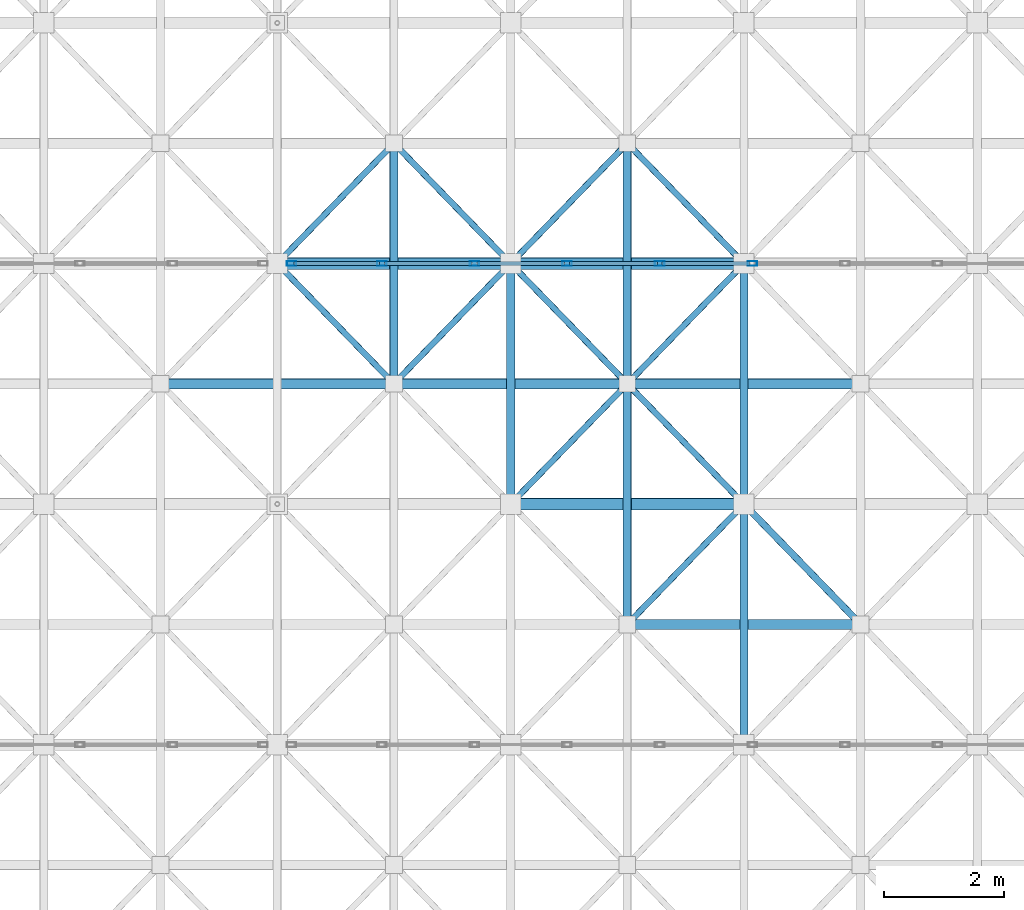
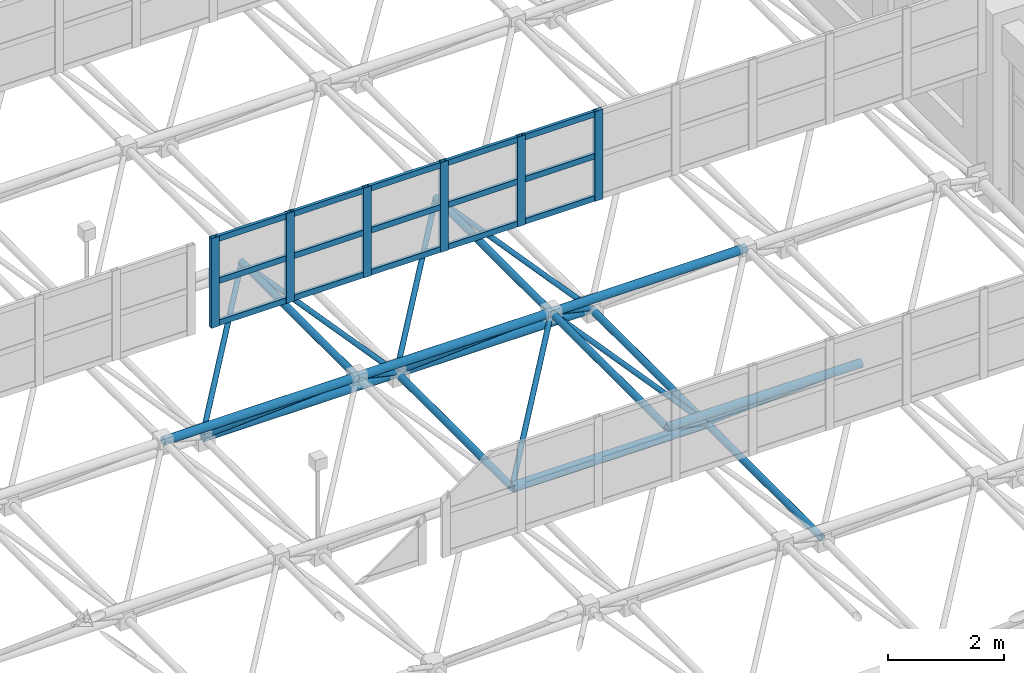
# One storey, part 87 of 195: 46 members, 1 element without a shape of its own.
"""IFC4 building model written with IfcOpenShell, lengths in metres."""

import ifcopenshell
import ifcopenshell.guid

model = None  # the IFC model being written
_history = None  # IfcOwnerHistory: only IFC2X3 demands one
_inside = {}  # id of a spatial element -> (the spatial element, [elements in it])
_under = {}  # id of a project, library or spatial element -> (it, [spatial elements below it])
_declared = {}  # id of a project -> (the project, [libraries it declares])
_typed = {}  # id of a type object -> (the type object, [elements of that type])
_made_of = {}  # id of a material, layer set ... -> (it, [elements and type objects made of it])


def new_model(schema):
    """Start an empty IFC model of exactly this schema.

    Asked for "IFC4X3", IfcOpenShell would pick the latest addendum, in which some entities
    have other attributes; the version numbers below select the first issue.
    IFC2X3 requires an IfcOwnerHistory on every rooted entity: one is made here for all.
    """
    global model, _history
    if schema == "IFC4X3":
        model = ifcopenshell.file(schema_version=(4, 3, 0, 0))
    else:
        model = ifcopenshell.file(schema=schema)
    _inside.clear()
    _under.clear()
    _declared.clear()
    _typed.clear()
    _made_of.clear()
    _history = None
    if model.schema == "IFC2X3":
        org = make("IfcOrganization", Name="unknown")
        user = make(
            "IfcPersonAndOrganization",
            ThePerson=make("IfcPerson", FamilyName="unknown"),
            TheOrganization=org,
        )
        app = make(
            "IfcApplication",
            ApplicationDeveloper=org,
            Version="unknown",
            ApplicationFullName="unknown",
            ApplicationIdentifier="unknown",
        )
        _history = make(
            "IfcOwnerHistory",
            OwningUser=user,
            OwningApplication=app,
            ChangeAction="ADDED",
            CreationDate=0,
        )
    return model


def make(cls, **values):
    """One entity of the class cls with the attributes given. An attribute that is None is left unset."""
    return model.create_entity(
        cls, **{name: value for name, value in values.items() if value is not None}
    )


def rooted(cls, **values):
    """An entity with a GlobalId (a new one), such as an element, a storey or a relation."""
    return make(cls, GlobalId=ifcopenshell.guid.new(), OwnerHistory=_history, **values)


def si_unit(unit_type, name, prefix=None):
    """IfcSIUnit, for example si_unit("LENGTHUNIT", "METRE", prefix="MILLI")."""
    return make("IfcSIUnit", UnitType=unit_type, Prefix=prefix, Name=name)


def assignment(units):
    """IfcUnitAssignment: the units of a project."""
    return None if units is None else make("IfcUnitAssignment", Units=units)


def point(xyz):
    """IfcCartesianPoint."""
    return None if xyz is None else make("IfcCartesianPoint", Coordinates=xyz)


def direction(xyz):
    """IfcDirection."""
    return None if xyz is None else make("IfcDirection", DirectionRatios=xyz)


def frame(location, z_axis=None, x_axis=None):
    """IfcAxis2Placement3D, a coordinate frame: its origin and axes. An axis left out is left unset."""
    return make(
        "IfcAxis2Placement3D",
        Location=point(location),
        Axis=direction(z_axis),
        RefDirection=direction(x_axis),
    )


def frame_2d(location, x_axis=None):
    """IfcAxis2Placement2D, a coordinate frame in the plane: its origin and x axis."""
    return make(
        "IfcAxis2Placement2D", Location=point(location), RefDirection=direction(x_axis)
    )


def origin():
    """The frame at (0, 0, 0) with its axes left unset."""
    return frame((0.0, 0.0, 0.0))


def origin_2d():
    """The frame at (0, 0) in the plane with its x axis left unset."""
    return frame_2d((0.0, 0.0))


def place(relative_to, where):
    """IfcLocalPlacement: puts the frame where relative to a parent placement (None: the world)."""
    return make(
        "IfcLocalPlacement", PlacementRelTo=relative_to, RelativePlacement=where
    )


def context(
    kind, dimensions, precision=None, world=None, true_north=None, identifier=None
):
    """IfcGeometricRepresentationContext, for example the 3D "Model" context."""
    return make(
        "IfcGeometricRepresentationContext",
        ContextIdentifier=identifier,
        ContextType=kind,
        CoordinateSpaceDimension=dimensions,
        Precision=precision,
        WorldCoordinateSystem=world,
        TrueNorth=true_north,
    )


def subcontext(parent, identifier, kind, view, scale=None):
    """IfcGeometricRepresentationSubContext, for example "Body" below "Model"."""
    return make(
        "IfcGeometricRepresentationSubContext",
        ContextIdentifier=identifier,
        ContextType=kind,
        ParentContext=parent,
        TargetScale=scale,
        TargetView=view,
    )


def project(units=None, contexts=None):
    """IfcProject with its units and contexts."""
    return rooted(
        "IfcProject",
        Name="project",
        RepresentationContexts=contexts,
        UnitsInContext=assignment(units),
    )


def spatial(cls, under=None, at=None, **own):
    """A site, building, storey or space (cls), placed at a placement, below another one or the project."""
    s = rooted(cls, ObjectPlacement=at, **own)
    if under is not None:
        _under.setdefault(under.id(), (under, []))[1].append(s)
    return s


def profile(cls, at=None, kind="AREA", **sizes):
    """A parametric profile (cls). Its sizes go by their IFC names, for example OverallWidth=200.0."""
    return make(cls, ProfileType=kind, Position=at, **sizes)


def hollow_rectangle(**sizes):
    """IfcRectangleHollowProfileDef."""
    return profile("IfcRectangleHollowProfileDef", **sizes)


def hollow_circle(**sizes):
    """IfcCircleHollowProfileDef."""
    return profile("IfcCircleHollowProfileDef", **sizes)


def extrude(swept, where, along, depth):
    """IfcExtrudedAreaSolid: the profile swept, set in the frame where, extruded along a direction by depth."""
    return make(
        "IfcExtrudedAreaSolid",
        SweptArea=swept,
        Position=where,
        ExtrudedDirection=direction(along),
        Depth=depth,
    )


def shape(context_of_items, identifier, shape_type, items):
    """IfcShapeRepresentation: the items that make up one representation, for example the "Body"."""
    return make(
        "IfcShapeRepresentation",
        ContextOfItems=context_of_items,
        RepresentationIdentifier=identifier,
        RepresentationType=shape_type,
        Items=items,
    )


def material(Name=None, Category=None):
    """IfcMaterial."""
    return make("IfcMaterial", Name=Name, Category=Category)


def material_profile(
    of_material, cross_section, Name=None, Category=None, Priority=None
):
    """IfcMaterialProfile: a cross section and its material."""
    return make(
        "IfcMaterialProfile",
        Name=Name,
        Material=of_material,
        Profile=cross_section,
        Priority=Priority,
        Category=Category,
    )


def profile_set(profiles, Name=None, composite=None):
    """IfcMaterialProfileSet."""
    return make(
        "IfcMaterialProfileSet",
        Name=Name,
        MaterialProfiles=profiles,
        CompositeProfile=composite,
    )


def made_of(thing, what):
    """Note that an element or type object is made of a material, layer set ...; save() writes the relation."""
    if what is not None:
        _made_of.setdefault(what.id(), (what, []))[1].append(thing)
    return thing


def type_object(cls, material=None, **own):
    """A type object (cls), such as IfcWallType, which elements share."""
    return made_of(rooted(cls, **own), material)


def element(
    cls,
    number,
    at=None,
    inside=None,
    cuts=None,
    type_object=None,
    material=None,
    context=None,
    identifier="Body",
    shape_type=None,
    held_by="IfcProductDefinitionShape",
    body=None,
    shapes=None,
    **own,
):
    """One element of the class cls, such as IfcWall. Its Tag is "e" and its number.

    at: its placement. inside: the storey or other place that contains it. cuts: it is an
    opening in that element (IfcRelVoidsElement). A single representation is given by context,
    identifier, shape_type and body (its items); several are given by shapes. held_by: the class
    of the entity that holds the representations. save() writes the other relations.
    """
    e = rooted(cls, Tag="e%d" % number, ObjectPlacement=at, **own)
    if body is not None:
        shapes = [shape(context, identifier, shape_type, body)]
    if shapes is not None:
        e.Representation = make(held_by, Representations=shapes)
    if inside is not None:
        _inside.setdefault(inside.id(), (inside, []))[1].append(e)
    if cuts is not None:
        rooted(
            "IfcRelVoidsElement", RelatingBuildingElement=cuts, RelatedOpeningElement=e
        )
    if type_object is not None:
        _typed.setdefault(type_object.id(), (type_object, []))[1].append(e)
    return made_of(e, material)


def aggregate(whole, parts):
    """IfcRelAggregates: a whole, such as a stair, and the parts it consists of."""
    return rooted("IfcRelAggregates", RelatingObject=whole, RelatedObjects=parts)


def save(model, path):
    """Write the relations noted so far, then the file.

    IfcRelAggregates (storeys below a building ...), IfcRelContainedInSpatialStructure (elements
    in a storey), IfcRelDefinesByType, IfcRelAssociatesMaterial and IfcRelDeclares: one each for
    every whole, place, type object, material and project.
    """
    for whole, parts in _under.values():
        aggregate(whole, parts)
    for where, things in _inside.values():
        rooted(
            "IfcRelContainedInSpatialStructure",
            RelatedElements=things,
            RelatingStructure=where,
        )
    for kind, things in _typed.values():
        rooted("IfcRelDefinesByType", RelatedObjects=things, RelatingType=kind)
    for what, things in _made_of.values():
        rooted("IfcRelAssociatesMaterial", RelatedObjects=things, RelatingMaterial=what)
    for by, libraries in _declared.values():
        rooted("IfcRelDeclares", RelatingContext=by, RelatedDefinitions=libraries)
    model.write(path)


model = new_model("IFC4")

# Units and contexts
model_context = context("Model", 3, precision=1e-05, world=origin(), true_north=direction((0.0, 1.0)))
body_context = subcontext(model_context, "Body", "Model", "MODEL_VIEW")
ifc_project = project(units=[si_unit("LENGTHUNIT", "METRE"), si_unit("AREAUNIT", "SQUARE_METRE"), si_unit("VOLUMEUNIT", "CUBIC_METRE"), si_unit("PLANEANGLEUNIT", "RADIAN"), si_unit("MASSUNIT", "GRAM", prefix="KILO")], contexts=[model_context])

# Site, building, storey
site_placement = place(None, origin())
site = spatial("IfcSite", under=ifc_project, at=site_placement, CompositionType="ELEMENT")
building_placement = place(site_placement, origin())
building = spatial("IfcBuilding", under=site, at=building_placement, Name="Kharva Crest Polytechnic", CompositionType="ELEMENT")
storey_placement = place(building_placement, frame((0.0, 0.0, 9.0)))
storey = spatial("IfcBuildingStorey", under=building, at=storey_placement, Name="L02", CompositionType="ELEMENT", Elevation=9.0)

# Curtain wall, members
ifc_material_1 = material(Name="Tempered insulated glass", Category="glass")
curtain_wall_type = type_object("IfcCurtainWallType", Name="CW-SYS-NORTHLIGHT", PredefinedType="USERDEFINED", material=ifc_material_1)
curtain_wall_placement = place(storey_placement, origin())
curtain_wall = element("IfcCurtainWall", 1, at=curtain_wall_placement, inside=storey, type_object=curtain_wall_type, Name="L02 Glazed Curtain Wall CW-196", ObjectType="CURTAIN WALL", PredefinedType="USERDEFINED")
ifc_material_2 = material(Name="Steel S355", Category="steel")
ifc_material_profile_1 = material_profile(ifc_material_2, hollow_rectangle(XDim=0.080078125, YDim=0.159912109375, WallThickness=0.0048828125, at=origin_2d()), Name="RHS 160X80X5.0")
ifc_profile_set_1 = profile_set([ifc_material_profile_1], Name="Steel S355")
member_type_1 = type_object("IfcMemberType", Name="CWM-RHS160X80", PredefinedType="MULLION", material=ifc_profile_set_1)
member_1_placement = place(storey_placement, frame((16.239990234375, 70.800048828125, 2.85009765625), z_axis=(0.0, 0.0, 1.0), x_axis=(0.0, 1.0, 0.0)))
member_1 = element("IfcMember", 2, at=member_1_placement, type_object=member_type_1, Name="CW-196 mullion 1", PredefinedType="MULLION", context=body_context, shape_type="SweptSolid", body=[
    extrude(hollow_rectangle(XDim=0.080078125, YDim=0.159912109375, WallThickness=0.0048828125, at=origin_2d()), origin(), (0.0, 0.0, 1.0), 1.89990234375),
])
member_2_placement = place(storey_placement, frame((17.739990234375, 70.800048828125, 2.85009765625), z_axis=(0.0, 0.0, 1.0), x_axis=(0.0, 1.0, 0.0)))
member_2 = element("IfcMember", 3, at=member_2_placement, type_object=member_type_1, Name="CW-196 mullion 2", PredefinedType="MULLION", context=body_context, shape_type="SweptSolid", body=[
    extrude(hollow_rectangle(XDim=0.080078125, YDim=0.159912109375, WallThickness=0.0048828125, at=origin_2d()), origin(), (0.0, 0.0, 1.0), 1.89990234375),
])
member_3_placement = place(storey_placement, frame((19.280029296875, 70.800048828125, 2.85009765625), z_axis=(0.0, 0.0, 1.0), x_axis=(0.0, 1.0, 0.0)))
member_3 = element("IfcMember", 4, at=member_3_placement, type_object=member_type_1, Name="CW-196 mullion 3", PredefinedType="MULLION", context=body_context, shape_type="SweptSolid", body=[
    extrude(hollow_rectangle(XDim=0.080078125, YDim=0.159912109375, WallThickness=0.0048828125, at=origin_2d()), origin(), (0.0, 0.0, 1.0), 1.89990234375),
])
member_4_placement = place(storey_placement, frame((20.820068359375, 70.800048828125, 2.85009765625), z_axis=(0.0, 0.0, 1.0), x_axis=(0.0, 1.0, 0.0)))
member_4 = element("IfcMember", 5, at=member_4_placement, type_object=member_type_1, Name="CW-196 mullion 4", PredefinedType="MULLION", context=body_context, shape_type="SweptSolid", body=[
    extrude(hollow_rectangle(XDim=0.080078125, YDim=0.159912109375, WallThickness=0.0048828125, at=origin_2d()), origin(), (0.0, 0.0, 1.0), 1.89990234375),
])
member_5_placement = place(storey_placement, frame((22.360107421875, 70.800048828125, 2.85009765625), z_axis=(0.0, 0.0, 1.0), x_axis=(0.0, 1.0, 0.0)))
member_5 = element("IfcMember", 6, at=member_5_placement, type_object=member_type_1, Name="CW-196 mullion 5", PredefinedType="MULLION", context=body_context, shape_type="SweptSolid", body=[
    extrude(hollow_rectangle(XDim=0.080078125, YDim=0.159912109375, WallThickness=0.0048828125, at=origin_2d()), origin(), (0.0, 0.0, 1.0), 1.89990234375),
])
member_6_placement = place(storey_placement, frame((23.89990234375, 70.800048828125, 2.85009765625), z_axis=(0.0, 0.0, 1.0), x_axis=(0.0, 1.0, 0.0)))
member_6 = element("IfcMember", 7, at=member_6_placement, type_object=member_type_1, Name="CW-196 mullion 6", PredefinedType="MULLION", context=body_context, shape_type="SweptSolid", body=[
    extrude(hollow_rectangle(XDim=0.080078125, YDim=0.159912109375, WallThickness=0.0048828125, at=origin_2d()), origin(), (0.0, 0.0, 1.0), 1.89990234375),
])
ifc_material_profile_2 = material_profile(ifc_material_2, hollow_rectangle(XDim=0.06005859375, YDim=0.1201171875, WallThickness=0.00390625, at=origin_2d()), Name="RHS 120X60X4.0")
ifc_profile_set_2 = profile_set([ifc_material_profile_2], Name="Steel S355")
member_type_2 = type_object("IfcMemberType", Name="CWT-RHS120X60", PredefinedType="USERDEFINED", material=ifc_profile_set_2)
member_7_placement = place(storey_placement, frame((16.280029296875, 70.800048828125, 2.909912109375), z_axis=(1.0, 0.0, 0.0), x_axis=(0.0, 1.0, 0.0)))
member_7 = element("IfcMember", 8, at=member_7_placement, type_object=member_type_2, Name="CW-196 transom 1.1", ObjectType="TRANSOM", PredefinedType="USERDEFINED", context=body_context, shape_type="SweptSolid", body=[
    extrude(hollow_rectangle(XDim=0.06005859375, YDim=0.1201171875, WallThickness=0.00390625, at=origin_2d()), origin(), (0.0, 0.0, 1.0), 1.419921875),
])
member_8_placement = place(storey_placement, frame((16.280029296875, 70.800048828125, 3.800048828125), z_axis=(1.0, 0.0, 0.0), x_axis=(0.0, 1.0, 0.0)))
member_8 = element("IfcMember", 9, at=member_8_placement, type_object=member_type_2, Name="CW-196 transom 1.2", ObjectType="TRANSOM", PredefinedType="USERDEFINED", context=body_context, shape_type="SweptSolid", body=[
    extrude(hollow_rectangle(XDim=0.06005859375, YDim=0.1201171875, WallThickness=0.00390625, at=origin_2d()), origin(), (0.0, 0.0, 1.0), 1.419921875),
])
member_9_placement = place(storey_placement, frame((16.280029296875, 70.800048828125, 4.68994140625), z_axis=(1.0, 0.0, 0.0), x_axis=(0.0, 1.0, 0.0)))
member_9 = element("IfcMember", 10, at=member_9_placement, type_object=member_type_2, Name="CW-196 transom 1.3", ObjectType="TRANSOM", PredefinedType="USERDEFINED", context=body_context, shape_type="SweptSolid", body=[
    extrude(hollow_rectangle(XDim=0.06005859375, YDim=0.1201171875, WallThickness=0.00390625, at=origin_2d()), origin(), (0.0, 0.0, 1.0), 1.419921875),
])
member_10_placement = place(storey_placement, frame((17.780029296875, 70.800048828125, 2.909912109375), z_axis=(1.0, 0.0, 0.0), x_axis=(0.0, 1.0, 0.0)))
member_10 = element("IfcMember", 11, at=member_10_placement, type_object=member_type_2, Name="CW-196 transom 2.1", ObjectType="TRANSOM", PredefinedType="USERDEFINED", context=body_context, shape_type="SweptSolid", body=[
    extrude(hollow_rectangle(XDim=0.06005859375, YDim=0.1201171875, WallThickness=0.00390625, at=origin_2d()), origin(), (0.0, 0.0, 1.0), 1.4599609375),
])
member_11_placement = place(storey_placement, frame((17.780029296875, 70.800048828125, 3.800048828125), z_axis=(1.0, 0.0, 0.0), x_axis=(0.0, 1.0, 0.0)))
member_11 = element("IfcMember", 12, at=member_11_placement, type_object=member_type_2, Name="CW-196 transom 2.2", ObjectType="TRANSOM", PredefinedType="USERDEFINED", context=body_context, shape_type="SweptSolid", body=[
    extrude(hollow_rectangle(XDim=0.06005859375, YDim=0.1201171875, WallThickness=0.00390625, at=origin_2d()), origin(), (0.0, 0.0, 1.0), 1.4599609375),
])
member_12_placement = place(storey_placement, frame((17.780029296875, 70.800048828125, 4.68994140625), z_axis=(1.0, 0.0, 0.0), x_axis=(0.0, 1.0, 0.0)))
member_12 = element("IfcMember", 13, at=member_12_placement, type_object=member_type_2, Name="CW-196 transom 2.3", ObjectType="TRANSOM", PredefinedType="USERDEFINED", context=body_context, shape_type="SweptSolid", body=[
    extrude(hollow_rectangle(XDim=0.06005859375, YDim=0.1201171875, WallThickness=0.00390625, at=origin_2d()), origin(), (0.0, 0.0, 1.0), 1.4599609375),
])
member_13_placement = place(storey_placement, frame((19.320068359375, 70.800048828125, 2.909912109375), z_axis=(1.0, 0.0, 0.0), x_axis=(0.0, 1.0, 0.0)))
member_13 = element("IfcMember", 14, at=member_13_placement, type_object=member_type_2, Name="CW-196 transom 3.1", ObjectType="TRANSOM", PredefinedType="USERDEFINED", context=body_context, shape_type="SweptSolid", body=[
    extrude(hollow_rectangle(XDim=0.06005859375, YDim=0.1201171875, WallThickness=0.00390625, at=origin_2d()), origin(), (0.0, 0.0, 1.0), 1.4599609375),
])
member_14_placement = place(storey_placement, frame((19.320068359375, 70.800048828125, 3.800048828125), z_axis=(1.0, 0.0, 0.0), x_axis=(0.0, 1.0, 0.0)))
member_14 = element("IfcMember", 15, at=member_14_placement, type_object=member_type_2, Name="CW-196 transom 3.2", ObjectType="TRANSOM", PredefinedType="USERDEFINED", context=body_context, shape_type="SweptSolid", body=[
    extrude(hollow_rectangle(XDim=0.06005859375, YDim=0.1201171875, WallThickness=0.00390625, at=origin_2d()), origin(), (0.0, 0.0, 1.0), 1.4599609375),
])
member_15_placement = place(storey_placement, frame((19.320068359375, 70.800048828125, 4.68994140625), z_axis=(1.0, 0.0, 0.0), x_axis=(0.0, 1.0, 0.0)))
member_15 = element("IfcMember", 16, at=member_15_placement, type_object=member_type_2, Name="CW-196 transom 3.3", ObjectType="TRANSOM", PredefinedType="USERDEFINED", context=body_context, shape_type="SweptSolid", body=[
    extrude(hollow_rectangle(XDim=0.06005859375, YDim=0.1201171875, WallThickness=0.00390625, at=origin_2d()), origin(), (0.0, 0.0, 1.0), 1.4599609375),
])
member_16_placement = place(storey_placement, frame((20.860107421875, 70.800048828125, 2.909912109375), z_axis=(1.0, 0.0, 0.0), x_axis=(0.0, 1.0, 0.0)))
member_16 = element("IfcMember", 17, at=member_16_placement, type_object=member_type_2, Name="CW-196 transom 4.1", ObjectType="TRANSOM", PredefinedType="USERDEFINED", context=body_context, shape_type="SweptSolid", body=[
    extrude(hollow_rectangle(XDim=0.06005859375, YDim=0.1201171875, WallThickness=0.00390625, at=origin_2d()), origin(), (0.0, 0.0, 1.0), 1.4599609375),
])
member_17_placement = place(storey_placement, frame((20.860107421875, 70.800048828125, 3.800048828125), z_axis=(1.0, 0.0, 0.0), x_axis=(0.0, 1.0, 0.0)))
member_17 = element("IfcMember", 18, at=member_17_placement, type_object=member_type_2, Name="CW-196 transom 4.2", ObjectType="TRANSOM", PredefinedType="USERDEFINED", context=body_context, shape_type="SweptSolid", body=[
    extrude(hollow_rectangle(XDim=0.06005859375, YDim=0.1201171875, WallThickness=0.00390625, at=origin_2d()), origin(), (0.0, 0.0, 1.0), 1.4599609375),
])
member_18_placement = place(storey_placement, frame((20.860107421875, 70.800048828125, 4.68994140625), z_axis=(1.0, 0.0, 0.0), x_axis=(0.0, 1.0, 0.0)))
member_18 = element("IfcMember", 19, at=member_18_placement, type_object=member_type_2, Name="CW-196 transom 4.3", ObjectType="TRANSOM", PredefinedType="USERDEFINED", context=body_context, shape_type="SweptSolid", body=[
    extrude(hollow_rectangle(XDim=0.06005859375, YDim=0.1201171875, WallThickness=0.00390625, at=origin_2d()), origin(), (0.0, 0.0, 1.0), 1.4599609375),
])
member_19_placement = place(storey_placement, frame((22.39990234375, 70.800048828125, 2.909912109375), z_axis=(1.0, 0.0, 0.0), x_axis=(0.0, 1.0, 0.0)))
member_19 = element("IfcMember", 20, at=member_19_placement, type_object=member_type_2, Name="CW-196 transom 5.1", ObjectType="TRANSOM", PredefinedType="USERDEFINED", context=body_context, shape_type="SweptSolid", body=[
    extrude(hollow_rectangle(XDim=0.06005859375, YDim=0.1201171875, WallThickness=0.00390625, at=origin_2d()), origin(), (0.0, 0.0, 1.0), 1.460205078125),
])
member_20_placement = place(storey_placement, frame((22.39990234375, 70.800048828125, 3.800048828125), z_axis=(1.0, 0.0, 0.0), x_axis=(0.0, 1.0, 0.0)))
member_20 = element("IfcMember", 21, at=member_20_placement, type_object=member_type_2, Name="CW-196 transom 5.2", ObjectType="TRANSOM", PredefinedType="USERDEFINED", context=body_context, shape_type="SweptSolid", body=[
    extrude(hollow_rectangle(XDim=0.06005859375, YDim=0.1201171875, WallThickness=0.00390625, at=origin_2d()), origin(), (0.0, 0.0, 1.0), 1.460205078125),
])
member_21_placement = place(storey_placement, frame((22.39990234375, 70.800048828125, 4.68994140625), z_axis=(1.0, 0.0, 0.0), x_axis=(0.0, 1.0, 0.0)))
member_21 = element("IfcMember", 22, at=member_21_placement, type_object=member_type_2, Name="CW-196 transom 5.3", ObjectType="TRANSOM", PredefinedType="USERDEFINED", context=body_context, shape_type="SweptSolid", body=[
    extrude(hollow_rectangle(XDim=0.06005859375, YDim=0.1201171875, WallThickness=0.00390625, at=origin_2d()), origin(), (0.0, 0.0, 1.0), 1.460205078125),
])
aggregate(curtain_wall, [member_1, member_2, member_3, member_4, member_5, member_6, member_7, member_8, member_9, member_10, member_11, member_12, member_13, member_14, member_15, member_16, member_17, member_18, member_19, member_20, member_21])

# Members
ifc_material_profile_3 = material_profile(ifc_material_2, hollow_circle(Radius=0.05078125, WallThickness=0.0048828125, at=origin_2d()), Name="CHS 101.6X5.0")
ifc_profile_set_3 = profile_set([ifc_material_profile_3], Name="Steel S355")
member_type_3 = type_object("IfcMemberType", Name="MEM-CHS101", PredefinedType="BRACE", material=ifc_profile_set_3)
for number, where, z_axis, x_axis, name in (
    (23, (16.0, 70.800048828125, 0.60009765625), (0.584843378742, -0.602949529154, 0.542595694449), (0.717802189577, 0.696247094528, 0.0), "Space Frame Web Diagonal 703"),
    (24, (19.8798828125, 70.800048828125, 0.60009765625), (-0.584843378742, -0.602949529154, 0.542595694449), (0.717802189577, -0.696247094528, 0.0), "Space Frame Web Diagonal 704"),
    (25, (16.0, 70.800048828125, 0.60009765625), (0.584843378742, 0.602949529154, 0.542595694449), (-0.717802189577, 0.696247094528, 0.0), "Space Frame Web Diagonal 705"),
    (26, (19.8798828125, 70.800048828125, 0.60009765625), (-0.584843378742, 0.602949529154, 0.542595694449), (-0.717802189577, -0.696247094528, 0.0), "Space Frame Web Diagonal 706"),
    (27, (23.760009765625, 66.800048828125, 0.60009765625), (-0.584843378742, -0.602949529154, 0.542595694449), (0.717802189577, -0.696247094528, 0.0), "Space Frame Web Diagonal 756"),
    (28, (19.8798828125, 66.800048828125, 0.60009765625), (0.584891802813, 0.602923574763, 0.542572338032), (-0.717758400015, 0.696292236929, 0.0), "Space Frame Web Diagonal 757"),
    (29, (23.760009765625, 66.800048828125, 0.60009765625), (-0.584843378742, 0.602949529154, 0.542595694449), (-0.717802189577, -0.696247094528, 0.0), "Space Frame Web Diagonal 758"),
    (30, (19.8798828125, 70.800048828125, 0.60009765625), (0.584891802813, -0.602923574763, 0.542572338032), (0.717758400015, 0.696292236929, 0.0), "Space Frame Web Diagonal 759"),
    (31, (23.760009765625, 70.800048828125, 0.60009765625), (-0.584843378742, -0.602949529154, 0.542595694449), (0.717802189577, -0.696247094528, 0.0), "Space Frame Web Diagonal 760"),
    (32, (19.8798828125, 70.800048828125, 0.60009765625), (0.584891802813, 0.602923574763, 0.542572338032), (-0.717758400015, 0.696292236929, 0.0), "Space Frame Web Diagonal 761"),
    (33, (23.760009765625, 70.800048828125, 0.60009765625), (-0.584843378742, 0.602949529154, 0.542595694449), (-0.717802189577, -0.696247094528, 0.0), "Space Frame Web Diagonal 762"),
):
    element("IfcMember", number, at=place(storey_placement, frame(where, z_axis=z_axis, x_axis=x_axis)), inside=storey, type_object=member_type_3, Name=name, PredefinedType="BRACE", context=body_context, shape_type="SweptSolid", body=[
        extrude(hollow_circle(Radius=0.05078125, WallThickness=0.0048828125, at=origin_2d()), origin(), (0.0, 0.0, 1.0), 3.317138671875),
    ])
ifc_material_profile_4 = material_profile(ifc_material_2, hollow_circle(Radius=0.05712890625, WallThickness=0.00634765625, at=origin_2d()), Name="CHS 114.3X6.3")
ifc_profile_set_4 = profile_set([ifc_material_profile_4], Name="Steel S355")
member_type_4 = type_object("IfcMemberType", Name="MEM-CHS114", PredefinedType="BRACE", material=ifc_profile_set_4)
member_22_placement = place(storey_placement, frame((23.760009765625, 66.800048828125, 0.60009765625), z_axis=(0.584843378742, -0.602949529154, 0.542595694449), x_axis=(0.717802189577, 0.696247094528, 0.0)))
element("IfcMember", 34, at=member_22_placement, inside=storey, type_object=member_type_4, Name="Space Frame Web Diagonal 811", PredefinedType="BRACE", context=body_context, shape_type="SweptSolid", body=[
    extrude(hollow_circle(Radius=0.05712890625, WallThickness=0.00634765625, at=origin_2d()), origin(), (0.0, 0.0, 1.0), 3.317138671875),
])
ifc_material_profile_5 = material_profile(ifc_material_2, hollow_circle(Radius=0.06982421875, WallThickness=0.00634765625, at=origin_2d()), Name="CHS 139.7X6.3")
ifc_profile_set_5 = profile_set([ifc_material_profile_5], Name="Steel S355")
member_type_5 = type_object("IfcMemberType", Name="MEM-CHS139", PredefinedType="CHORD", material=ifc_profile_set_5)
for number, where, z_axis, x_axis, name in (
    (35, (19.8798828125, 66.800048828125, 0.60009765625), (0.0, 1.0, 0.0), (-1.0, 0.0, 0.0), "Space Frame Bottom Chord Y 198"),
    (36, (23.760009765625, 62.800048828125, 0.60009765625), (0.0, 1.0, 0.0), (-1.0, 0.0, 0.0), "Space Frame Bottom Chord Y 211"),
    (37, (23.760009765625, 66.800048828125, 0.60009765625), (0.0, 1.0, 0.0), (-1.0, 0.0, 0.0), "Space Frame Bottom Chord Y 212"),
    (38, (17.93994140625, 68.800048828125, 2.39990234375), (0.0, 1.0, 0.0), (-1.0, 0.0, 0.0), "Space Frame Top Chord Y 404"),
    (39, (21.820068359375, 64.800048828125, 2.39990234375), (0.0, 1.0, 0.0), (-1.0, 0.0, 0.0), "Space Frame Top Chord Y 416"),
    (40, (21.820068359375, 68.800048828125, 2.39990234375), (0.0, 1.0, 0.0), (-1.0, 0.0, 0.0), "Space Frame Top Chord Y 417"),
):
    element("IfcMember", number, at=place(storey_placement, frame(where, z_axis=z_axis, x_axis=x_axis)), inside=storey, type_object=member_type_5, Name=name, PredefinedType="CHORD", context=body_context, shape_type="SweptSolid", body=[
        extrude(hollow_circle(Radius=0.06982421875, WallThickness=0.00634765625, at=origin_2d()), origin(), (0.0, 0.0, 1.0), 4.0),
    ])
ifc_material_profile_6 = material_profile(ifc_material_2, hollow_circle(Radius=0.084228515625, WallThickness=0.008056640625, at=origin_2d()), Name="CHS 168.3X8.0")
ifc_profile_set_6 = profile_set([ifc_material_profile_6], Name="Steel S355")
member_type_6 = type_object("IfcMemberType", Name="MEM-CHS168", PredefinedType="CHORD", material=ifc_profile_set_6)
for number, where, z_axis, x_axis, name in (
    (41, (21.820068359375, 64.800048828125, 2.39990234375), (1.0, 0.0, 0.0), (0.0, 1.0, 0.0), "Space Frame Top Chord X 294"),
    (42, (14.06005859375, 68.800048828125, 2.39990234375), (1.0, 0.0, 0.0), (0.0, 1.0, 0.0), "Space Frame Top Chord X 299"),
):
    element("IfcMember", number, at=place(storey_placement, frame(where, z_axis=z_axis, x_axis=x_axis)), inside=storey, type_object=member_type_6, Name=name, PredefinedType="CHORD", context=body_context, shape_type="SweptSolid", body=[
        extrude(hollow_circle(Radius=0.084228515625, WallThickness=0.008056640625, at=origin_2d()), origin(), (0.0, 0.0, 1.0), 3.8798828125),
    ])
member_23_placement = place(storey_placement, frame((17.93994140625, 68.800048828125, 2.39990234375), z_axis=(1.0, 0.0, 0.0), x_axis=(0.0, 1.0, 0.0)))
element("IfcMember", 43, at=member_23_placement, inside=storey, type_object=member_type_6, Name="Space Frame Top Chord X 300", PredefinedType="CHORD", context=body_context, shape_type="SweptSolid", body=[
    extrude(hollow_circle(Radius=0.084228515625, WallThickness=0.008056640625, at=origin_2d()), origin(), (0.0, 0.0, 1.0), 3.880126953125),
])
member_24_placement = place(storey_placement, frame((21.820068359375, 68.800048828125, 2.39990234375), z_axis=(1.0, 0.0, 0.0), x_axis=(0.0, 1.0, 0.0)))
element("IfcMember", 44, at=member_24_placement, inside=storey, type_object=member_type_6, Name="Space Frame Top Chord X 301", PredefinedType="CHORD", context=body_context, shape_type="SweptSolid", body=[
    extrude(hollow_circle(Radius=0.084228515625, WallThickness=0.008056640625, at=origin_2d()), origin(), (0.0, 0.0, 1.0), 3.8798828125),
])
ifc_material_profile_7 = material_profile(ifc_material_2, hollow_circle(Radius=0.096923828125, WallThickness=0.008056640625, at=origin_2d()), Name="CHS 193.7X8.0")
ifc_profile_set_7 = profile_set([ifc_material_profile_7], Name="Steel S355")
member_type_7 = type_object("IfcMemberType", Name="MEM-CHS193", PredefinedType="CHORD", material=ifc_profile_set_7)
member_25_placement = place(storey_placement, frame((19.8798828125, 66.800048828125, 0.60009765625), z_axis=(1.0, 0.0, 0.0), x_axis=(0.0, 1.0, 0.0)))
element("IfcMember", 45, at=member_25_placement, inside=storey, type_object=member_type_7, Name="Space Frame Bottom Chord X 62", PredefinedType="CHORD", context=body_context, shape_type="SweptSolid", body=[
    extrude(hollow_circle(Radius=0.096923828125, WallThickness=0.008056640625, at=origin_2d()), origin(), (0.0, 0.0, 1.0), 3.880126953125),
])
member_26_placement = place(storey_placement, frame((16.0, 70.800048828125, 0.60009765625), z_axis=(1.0, 0.0, 0.0), x_axis=(0.0, 1.0, 0.0)))
element("IfcMember", 46, at=member_26_placement, inside=storey, type_object=member_type_7, Name="Space Frame Bottom Chord X 69", PredefinedType="CHORD", context=body_context, shape_type="SweptSolid", body=[
    extrude(hollow_circle(Radius=0.096923828125, WallThickness=0.008056640625, at=origin_2d()), origin(), (0.0, 0.0, 1.0), 3.8798828125),
])
member_27_placement = place(storey_placement, frame((19.8798828125, 70.800048828125, 0.60009765625), z_axis=(1.0, 0.0, 0.0), x_axis=(0.0, 1.0, 0.0)))
element("IfcMember", 47, at=member_27_placement, inside=storey, type_object=member_type_7, Name="Space Frame Bottom Chord X 70", PredefinedType="CHORD", context=body_context, shape_type="SweptSolid", body=[
    extrude(hollow_circle(Radius=0.096923828125, WallThickness=0.008056640625, at=origin_2d()), origin(), (0.0, 0.0, 1.0), 3.880126953125),
])

save(model, "model.ifc")
